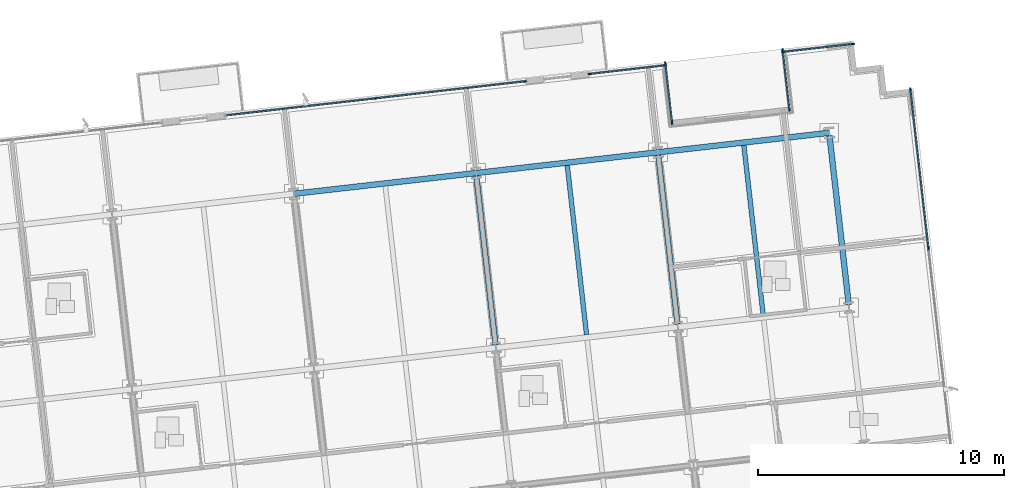
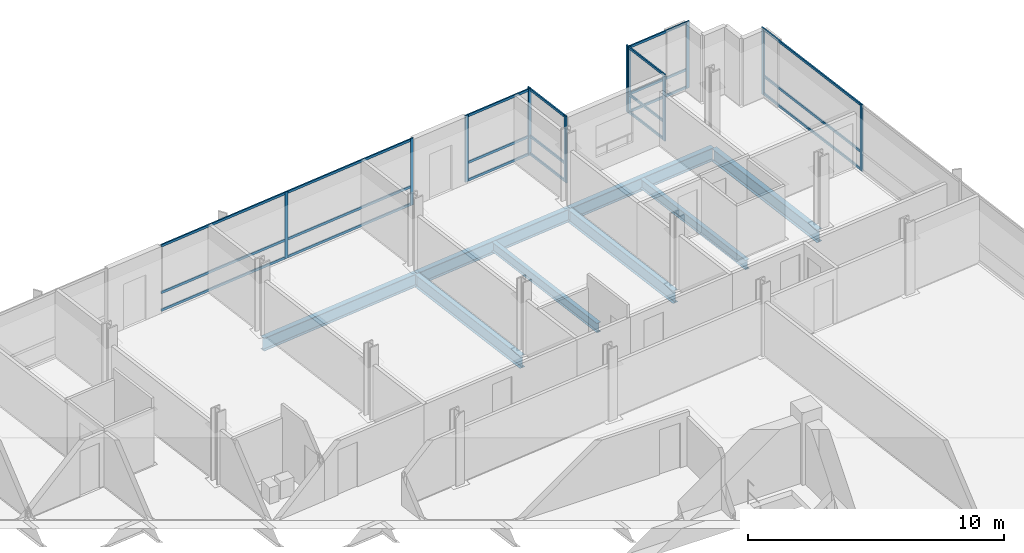
# One storey, part 7 of 16: 33 members, 8 beams, 6 elements without a shape of their own.
"""IFC4 building model written with IfcOpenShell, lengths in metres."""

from ifc_helpers import new_model, si_unit, direction, frame, origin, origin_2d, place, context, subcontext, project, spatial, rectangle, i_section, extrude, material, material_profile, profile_set, type_object, element, aggregate, save


model = new_model("IFC4")

# Units and contexts
model_context = context("Model", 3, precision=1e-05, world=origin(), true_north=direction((0.0, 1.0)))
body_context = subcontext(model_context, "Body", "Model", "MODEL_VIEW")
ifc_project = project(units=[si_unit("LENGTHUNIT", "METRE"), si_unit("AREAUNIT", "SQUARE_METRE"), si_unit("VOLUMEUNIT", "CUBIC_METRE"), si_unit("PLANEANGLEUNIT", "RADIAN"), si_unit("MASSUNIT", "GRAM", prefix="KILO")], contexts=[model_context])

# Site, building, storey
site_placement = place(None, origin())
site = spatial("IfcSite", under=ifc_project, at=site_placement, CompositionType="ELEMENT")
building_placement = place(site_placement, origin())
building = spatial("IfcBuilding", under=site, at=building_placement, Name="Solmavex Isthmus Hotel", CompositionType="ELEMENT")
storey_placement = place(building_placement, frame((0.0, 0.0, 222.75)))
storey = spatial("IfcBuildingStorey", under=building, at=storey_placement, Name="L60", CompositionType="ELEMENT", Elevation=222.75)

# Beams
ifc_material_1 = material(Name="Steel ASTM A992 Grade 50", Category="steel")
ifc_material_profile_1 = material_profile(ifc_material_1, i_section(OverallWidth=0.1904296875, OverallDepth=0.456787109375, WebThickness=0.009033203125, FlangeThickness=0.014404296875, FilletRadius=0.0126953125, at=origin_2d()), Name="W18X50")
ifc_profile_set_1 = profile_set([ifc_material_profile_1], Name="Steel ASTM A992 Grade 50")
beam_type_1 = type_object("IfcBeamType", Name="BM-BJ-W18X50", PredefinedType="JOIST", material=ifc_profile_set_1)
for number, where, z_axis, x_axis, name in (
    (1, (14.4072265625, 10.975830078125, -0.488525390625), (-0.113202453846, 0.993571942258, 0.0), (-0.993571942258, -0.113202453846, 0.0), "Secondary Floor Joist L60-J18"),
    (2, (21.587646484375, 11.7939453125, -0.488525390625), (-0.113202453846, 0.993571942258, 0.0), (-0.993571942258, -0.113202453846, 0.0), "Secondary Floor Joist L60-J21"),
):
    element("IfcBeam", number, at=place(storey_placement, frame(where, z_axis=z_axis, x_axis=x_axis)), inside=storey, type_object=beam_type_1, Name=name, PredefinedType="JOIST", context=body_context, shape_type="SweptSolid", body=[
        extrude(i_section(OverallWidth=0.1904296875, OverallDepth=0.456787109375, WebThickness=0.009033203125, FlangeThickness=0.014404296875, FilletRadius=0.0126953125, at=origin_2d()), origin(), (0.0, 0.0, 1.0), 6.9228515625),
    ])
ifc_material_profile_2 = material_profile(ifc_material_1, i_section(OverallWidth=0.227783203125, OverallDepth=0.602783203125, WebThickness=0.010498046875, FlangeThickness=0.014892578125, FilletRadius=0.01513671875, at=origin_2d()), Name="W24X68")
ifc_profile_set_2 = profile_set([ifc_material_profile_2], Name="Steel ASTM A992 Grade 50")
beam_type_2 = type_object("IfcBeamType", Name="BM-BM-W24X68", PredefinedType="BEAM", material=ifc_profile_set_2)
for number, where, z_axis, x_axis, name in (
    (3, (10.708251953125, 10.55419921875, -0.561279296875), (-0.113202453846, 0.993571942258, 0.0), (-0.993571942258, -0.113202453846, 0.0), "Floor Beam L60-VG39"),
    (4, (18.106201171875, 11.397216796875, -0.561279296875), (-0.113202453846, 0.993571942258, 0.0), (-0.993571942258, -0.113202453846, 0.0), "Floor Beam L60-VG42"),
):
    element("IfcBeam", number, at=place(storey_placement, frame(where, z_axis=z_axis, x_axis=x_axis)), inside=storey, type_object=beam_type_2, Name=name, PredefinedType="BEAM", context=body_context, shape_type="SweptSolid", body=[
        extrude(i_section(OverallWidth=0.227783203125, OverallDepth=0.602783203125, WebThickness=0.010498046875, FlangeThickness=0.014892578125, FilletRadius=0.01513671875, at=origin_2d()), origin(), (0.0, 0.0, 1.0), 6.9228515625),
    ])
ifc_material_profile_3 = material_profile(ifc_material_1, i_section(OverallWidth=0.230224609375, OverallDepth=0.617431640625, WebThickness=0.01318359375, FlangeThickness=0.022216796875, FilletRadius=0.01513671875, at=origin_2d()), Name="W24X94")
ifc_profile_set_3 = profile_set([ifc_material_profile_3], Name="Steel ASTM A992 Grade 50")
beam_type_3 = type_object("IfcBeamType", Name="BM-SP-W24X94", PredefinedType="SPANDREL", material=ifc_profile_set_3)
for number, where, z_axis, x_axis, name in (
    (5, (2.51318359375, 16.7041015625, -0.56884765625), (0.9935703463, 0.113216460607, 0.0), (-0.113216460607, 0.9935703463, 0.0), "Floor Girder L60-UG21"),
    (6, (9.911376953125, 17.547119140625, -0.56884765625), (0.9935703463, 0.113216460607, 0.0), (-0.113216460607, 0.9935703463, 0.0), "Floor Girder L60-UG22"),
):
    element("IfcBeam", number, at=place(storey_placement, frame(where, z_axis=z_axis, x_axis=x_axis)), inside=storey, type_object=beam_type_3, Name=name, PredefinedType="SPANDREL", context=body_context, shape_type="SweptSolid", body=[
        extrude(i_section(OverallWidth=0.230224609375, OverallDepth=0.617431640625, WebThickness=0.01318359375, FlangeThickness=0.022216796875, FilletRadius=0.01513671875, at=origin_2d()), origin(), (0.0, 0.0, 1.0), 7.446044921875),
    ])
beam_1_placement = place(storey_placement, frame((17.3095703125, 18.39013671875, -0.56884765625), z_axis=(0.99357359356, 0.113187959519, 0.0), x_axis=(-0.113187959519, 0.99357359356, 0.0)))
element("IfcBeam", 7, at=beam_1_placement, inside=storey, type_object=beam_type_3, Name="Floor Girder L60-UG23", PredefinedType="SPANDREL", context=body_context, shape_type="SweptSolid", body=[
    extrude(i_section(OverallWidth=0.230224609375, OverallDepth=0.617431640625, WebThickness=0.01318359375, FlangeThickness=0.022216796875, FilletRadius=0.01513671875, at=origin_2d()), origin(), (0.0, 0.0, 1.0), 7.0078125),
])
beam_2_placement = place(storey_placement, frame((25.0693359375, 12.1904296875, -0.56884765625), z_axis=(-0.113202453846, 0.993571942258, 0.0), x_axis=(-0.993571942258, -0.113202453846, 0.0)))
element("IfcBeam", 8, at=beam_2_placement, inside=storey, type_object=beam_type_3, Name="Floor Beam L60-VG45", PredefinedType="SPANDREL", context=body_context, shape_type="SweptSolid", body=[
    extrude(i_section(OverallWidth=0.230224609375, OverallDepth=0.617431640625, WebThickness=0.01318359375, FlangeThickness=0.022216796875, FilletRadius=0.01513671875, at=origin_2d()), origin(), (0.0, 0.0, 1.0), 6.9228515625),
])

# Curtain wall, members
ifc_material_2 = material(Name="Aluminium alloy 6063-T6", Category="aluminium")
curtain_wall_type = type_object("IfcCurtainWallType", Name="CW-SYS-06", PredefinedType="NOTDEFINED", material=ifc_material_2)
curtain_wall_1_placement = place(storey_placement, origin())
curtain_wall_1 = element("IfcCurtainWall", 9, at=curtain_wall_1_placement, inside=storey, type_object=curtain_wall_type, Name="Stick Curtain Wall CWL-L60-SGW", PredefinedType="NOTDEFINED")
ifc_material_profile_4 = material_profile(ifc_material_2, rectangle(XDim=0.06005859375, YDim=0.139892578125, at=origin_2d()), Name="CWM-60X140")
ifc_profile_set_4 = profile_set([ifc_material_profile_4], Name="Aluminium alloy 6063-T6")
member_type_1 = type_object("IfcMemberType", Name="CW-SYS-06-MUL", PredefinedType="MULLION", material=ifc_profile_set_4)
member_1_placement = place(storey_placement, frame((17.885009765625, 19.593017578125, 0.0), z_axis=(0.0, 0.0, 1.0), x_axis=(-0.993572045023, -0.113201551883, 0.0)))
member_1 = element("IfcMember", 10, at=member_1_placement, type_object=member_type_1, Name="CW-06 mullion 1", PredefinedType="MULLION", context=body_context, shape_type="SweptSolid", body=[
    extrude(rectangle(XDim=0.06005859375, YDim=0.139892578125, at=origin_2d()), origin(), (0.0, 0.0, 1.0), 3.18994140625),
])
member_2_placement = place(storey_placement, frame((17.611083984375, 21.997314453125, 0.0), z_axis=(0.0, 0.0, 1.0), x_axis=(-0.993572045023, -0.113201551883, 0.0)))
member_2 = element("IfcMember", 11, at=member_2_placement, type_object=member_type_1, Name="CW-06 mullion 2", PredefinedType="MULLION", context=body_context, shape_type="SweptSolid", body=[
    extrude(rectangle(XDim=0.06005859375, YDim=0.139892578125, at=origin_2d()), origin(), (0.0, 0.0, 1.0), 3.18994140625),
])

curtain_wall_2_placement = place(storey_placement, origin())
curtain_wall_2 = element("IfcCurtainWall", 12, at=curtain_wall_2_placement, inside=storey, type_object=curtain_wall_type, Name="Stick Curtain Wall CWL-L60-SGE", PredefinedType="NOTDEFINED")
member_3_placement = place(storey_placement, frame((22.654296875, 20.13623046875, 0.0), z_axis=(0.0, 0.0, 1.0), x_axis=(-0.993572045023, -0.113201551883, 0.0)))
member_3 = element("IfcMember", 13, at=member_3_placement, type_object=member_type_1, Name="CW-06 mullion 1", PredefinedType="MULLION", context=body_context, shape_type="SweptSolid", body=[
    extrude(rectangle(XDim=0.06005859375, YDim=0.139892578125, at=origin_2d()), origin(), (0.0, 0.0, 1.0), 3.18994140625),
])
member_4_placement = place(storey_placement, frame((22.38037109375, 22.540771484375, 0.0), z_axis=(0.0, 0.0, 1.0), x_axis=(-0.993572045023, -0.113201551883, 0.0)))
member_4 = element("IfcMember", 14, at=member_4_placement, type_object=member_type_1, Name="CW-06 mullion 2", PredefinedType="MULLION", context=body_context, shape_type="SweptSolid", body=[
    extrude(rectangle(XDim=0.06005859375, YDim=0.139892578125, at=origin_2d()), origin(), (0.0, 0.0, 1.0), 3.18994140625),
])

curtain_wall_3_placement = place(storey_placement, origin())
curtain_wall_3 = element("IfcCurtainWall", 15, at=curtain_wall_3_placement, inside=storey, type_object=curtain_wall_type, Name="Stick Curtain Wall CWL-L60-N2", PredefinedType="NOTDEFINED")
member_5_placement = place(storey_placement, frame((5.818359375, 20.583251953125, 0.0), z_axis=(0.0, 0.0, 1.0), x_axis=(-0.113202856801, 0.993571896348, 0.0)))
member_5 = element("IfcMember", 16, at=member_5_placement, type_object=member_type_1, Name="CW-06 mullion 2", PredefinedType="MULLION", context=body_context, shape_type="SweptSolid", body=[
    extrude(rectangle(XDim=0.06005859375, YDim=0.139892578125, at=origin_2d()), origin(), (0.0, 0.0, 1.0), 3.18994140625),
])
member_6_placement = place(storey_placement, frame((11.89501953125, 21.275634765625, 0.0), z_axis=(0.0, 0.0, 1.0), x_axis=(-0.113202856801, 0.993571896348, 0.0)))
member_6 = element("IfcMember", 17, at=member_6_placement, type_object=member_type_1, Name="CW-06 mullion 3", PredefinedType="MULLION", context=body_context, shape_type="SweptSolid", body=[
    extrude(rectangle(XDim=0.06005859375, YDim=0.139892578125, at=origin_2d()), origin(), (0.0, 0.0, 1.0), 3.18994140625),
])

curtain_wall_4_placement = place(storey_placement, origin())
curtain_wall_4 = element("IfcCurtainWall", 18, at=curtain_wall_4_placement, inside=storey, type_object=curtain_wall_type, Name="Stick Curtain Wall CWL-L60-N3", PredefinedType="NOTDEFINED")
member_7_placement = place(storey_placement, frame((14.5380859375, 21.57666015625, 0.0), z_axis=(0.0, 0.0, 1.0), x_axis=(-0.113203212138, 0.993571855862, 0.0)))
member_7 = element("IfcMember", 19, at=member_7_placement, type_object=member_type_1, Name="CW-06 mullion 1", PredefinedType="MULLION", context=body_context, shape_type="SweptSolid", body=[
    extrude(rectangle(XDim=0.06005859375, YDim=0.139892578125, at=origin_2d()), origin(), (0.0, 0.0, 1.0), 3.18994140625),
])
member_8_placement = place(storey_placement, frame((17.58935546875, 21.92431640625, 0.0), z_axis=(0.0, 0.0, 1.0), x_axis=(-0.113203212138, 0.993571855862, 0.0)))
member_8 = element("IfcMember", 20, at=member_8_placement, type_object=member_type_1, Name="CW-06 mullion 2", PredefinedType="MULLION", context=body_context, shape_type="SweptSolid", body=[
    extrude(rectangle(XDim=0.06005859375, YDim=0.139892578125, at=origin_2d()), origin(), (0.0, 0.0, 1.0), 3.18994140625),
])

curtain_wall_5_placement = place(storey_placement, origin())
curtain_wall_5 = element("IfcCurtainWall", 21, at=curtain_wall_5_placement, inside=storey, type_object=curtain_wall_type, Name="Stick Curtain Wall CWL-L60-N4", PredefinedType="NOTDEFINED")
member_9_placement = place(storey_placement, frame((22.41796875, 22.474609375, 0.0), z_axis=(0.0, 0.0, 1.0), x_axis=(-0.113203382497, 0.993571836452, 0.0)))
member_9 = element("IfcMember", 22, at=member_9_placement, type_object=member_type_1, Name="CW-06 mullion 1", PredefinedType="MULLION", context=body_context, shape_type="SweptSolid", body=[
    extrude(rectangle(XDim=0.06005859375, YDim=0.139892578125, at=origin_2d()), origin(), (0.0, 0.0, 1.0), 3.18994140625),
])
member_10_placement = place(storey_placement, frame((25.23974609375, 22.796142578125, 0.0), z_axis=(0.0, 0.0, 1.0), x_axis=(-0.113203382497, 0.993571836452, 0.0)))
member_10 = element("IfcMember", 23, at=member_10_placement, type_object=member_type_1, Name="CW-06 mullion 2", PredefinedType="MULLION", context=body_context, shape_type="SweptSolid", body=[
    extrude(rectangle(XDim=0.06005859375, YDim=0.139892578125, at=origin_2d()), origin(), (0.0, 0.0, 1.0), 3.18994140625),
])

curtain_wall_6_placement = place(storey_placement, origin())
curtain_wall_6 = element("IfcCurtainWall", 24, at=curtain_wall_6_placement, inside=storey, type_object=curtain_wall_type, Name="Stick Curtain Wall CWL-L60-E1", PredefinedType="NOTDEFINED")
member_11_placement = place(storey_placement, frame((28.309814453125, 14.490234375, 0.0), z_axis=(0.0, 0.0, 1.0), x_axis=(-0.993571836648, -0.11320338078, 0.0)))
member_11 = element("IfcMember", 25, at=member_11_placement, type_object=member_type_1, Name="CW-06 mullion 5", PredefinedType="MULLION", context=body_context, shape_type="SweptSolid", body=[
    extrude(rectangle(XDim=0.06005859375, YDim=0.139892578125, at=origin_2d()), origin(), (0.0, 0.0, 1.0), 3.18994140625),
])
member_12_placement = place(storey_placement, frame((27.574951171875, 20.9384765625, 0.0), z_axis=(0.0, 0.0, 1.0), x_axis=(-0.993571836648, -0.11320338078, 0.0)))
member_12 = element("IfcMember", 26, at=member_12_placement, type_object=member_type_1, Name="CW-06 mullion 6", PredefinedType="MULLION", context=body_context, shape_type="SweptSolid", body=[
    extrude(rectangle(XDim=0.06005859375, YDim=0.139892578125, at=origin_2d()), origin(), (0.0, 0.0, 1.0), 3.18994140625),
])

# Member
ifc_material_profile_5 = material_profile(ifc_material_2, rectangle(XDim=0.06005859375, YDim=0.114990234375, at=origin_2d()), Name="CWT-60X115")
ifc_profile_set_5 = profile_set([ifc_material_profile_5], Name="Aluminium alloy 6063-T6")
member_type_2 = type_object("IfcMemberType", Name="CW-SYS-06-TRN", PredefinedType="USERDEFINED", material=ifc_profile_set_5)
member_13_placement = place(storey_placement, frame((17.881591796875, 19.622802734375, 0.0576171875), z_axis=(-0.113178949831, 0.993574619903, 0.0), x_axis=(-0.993574619903, -0.113178949831, 0.0)))
member_13 = element("IfcMember", 27, at=member_13_placement, type_object=member_type_2, Name="CW-06 transom 1.1", ObjectType="TRANSOM", PredefinedType="USERDEFINED", context=body_context, shape_type="SweptSolid", body=[
    extrude(rectangle(XDim=0.06005859375, YDim=0.114990234375, at=origin_2d()), origin(), (0.0, 0.0, 1.0), 2.35986328125),
])

member_14_placement = place(storey_placement, frame((17.881591796875, 19.622802734375, 0.89990234375), z_axis=(-0.113178949831, 0.993574619903, 0.0), x_axis=(-0.993574619903, -0.113178949831, 0.0)))
member_14 = element("IfcMember", 28, at=member_14_placement, type_object=member_type_2, Name="CW-06 transom 1.2", ObjectType="TRANSOM", PredefinedType="USERDEFINED", context=body_context, shape_type="SweptSolid", body=[
    extrude(rectangle(XDim=0.06005859375, YDim=0.114990234375, at=origin_2d()), origin(), (0.0, 0.0, 1.0), 2.35986328125),
])

member_15_placement = place(storey_placement, frame((17.881591796875, 19.622802734375, 3.132568359375), z_axis=(-0.113178949831, 0.993574619903, 0.0), x_axis=(-0.993574619903, -0.113178949831, 0.0)))
member_15 = element("IfcMember", 29, at=member_15_placement, type_object=member_type_2, Name="CW-06 transom 1.3", ObjectType="TRANSOM", PredefinedType="USERDEFINED", context=body_context, shape_type="SweptSolid", body=[
    extrude(rectangle(XDim=0.06005859375, YDim=0.114990234375, at=origin_2d()), origin(), (0.0, 0.0, 1.0), 2.35986328125),
])

aggregate(curtain_wall_1, [member_1, member_2, member_13, member_14, member_15])

member_16_placement = place(storey_placement, frame((22.65087890625, 20.166015625, 0.0576171875), z_axis=(-0.113269434447, 0.993564308548, 0.0), x_axis=(-0.993564308548, -0.113269434447, 0.0)))
member_16 = element("IfcMember", 30, at=member_16_placement, type_object=member_type_2, Name="CW-06 transom 1.1", ObjectType="TRANSOM", PredefinedType="USERDEFINED", context=body_context, shape_type="SweptSolid", body=[
    extrude(rectangle(XDim=0.06005859375, YDim=0.114990234375, at=origin_2d()), origin(), (0.0, 0.0, 1.0), 2.360107421875),
])

member_17_placement = place(storey_placement, frame((22.65087890625, 20.166015625, 0.89990234375), z_axis=(-0.113269434447, 0.993564308548, 0.0), x_axis=(-0.993564308548, -0.113269434447, 0.0)))
member_17 = element("IfcMember", 31, at=member_17_placement, type_object=member_type_2, Name="CW-06 transom 1.2", ObjectType="TRANSOM", PredefinedType="USERDEFINED", context=body_context, shape_type="SweptSolid", body=[
    extrude(rectangle(XDim=0.06005859375, YDim=0.114990234375, at=origin_2d()), origin(), (0.0, 0.0, 1.0), 2.360107421875),
])

member_18_placement = place(storey_placement, frame((22.65087890625, 20.166015625, 3.132568359375), z_axis=(-0.113269434447, 0.993564308548, 0.0), x_axis=(-0.993564308548, -0.113269434447, 0.0)))
member_18 = element("IfcMember", 32, at=member_18_placement, type_object=member_type_2, Name="CW-06 transom 1.3", ObjectType="TRANSOM", PredefinedType="USERDEFINED", context=body_context, shape_type="SweptSolid", body=[
    extrude(rectangle(XDim=0.06005859375, YDim=0.114990234375, at=origin_2d()), origin(), (0.0, 0.0, 1.0), 2.360107421875),
])

aggregate(curtain_wall_2, [member_3, member_4, member_16, member_17, member_18])

member_19_placement = place(storey_placement, frame((-0.228515625, 19.894287109375, 0.0576171875), z_axis=(0.99357211414, 0.113200945245, 0.0), x_axis=(-0.113200945245, 0.99357211414, 0.0)))
member_19 = element("IfcMember", 33, at=member_19_placement, type_object=member_type_2, Name="CW-06 transom 1.1", ObjectType="TRANSOM", PredefinedType="USERDEFINED", context=body_context, shape_type="SweptSolid", body=[
    extrude(rectangle(XDim=0.06005859375, YDim=0.114990234375, at=origin_2d()), origin(), (0.0, 0.0, 1.0), 6.055908203125),
])

member_20_placement = place(storey_placement, frame((-0.228515625, 19.894287109375, 0.89990234375), z_axis=(0.99357211414, 0.113200945245, 0.0), x_axis=(-0.113200945245, 0.99357211414, 0.0)))
member_20 = element("IfcMember", 34, at=member_20_placement, type_object=member_type_2, Name="CW-06 transom 1.2", ObjectType="TRANSOM", PredefinedType="USERDEFINED", context=body_context, shape_type="SweptSolid", body=[
    extrude(rectangle(XDim=0.06005859375, YDim=0.114990234375, at=origin_2d()), origin(), (0.0, 0.0, 1.0), 6.055908203125),
])

member_21_placement = place(storey_placement, frame((-0.228515625, 19.894287109375, 3.132568359375), z_axis=(0.99357211414, 0.113200945245, 0.0), x_axis=(-0.113200945245, 0.99357211414, 0.0)))
member_21 = element("IfcMember", 35, at=member_21_placement, type_object=member_type_2, Name="CW-06 transom 1.3", ObjectType="TRANSOM", PredefinedType="USERDEFINED", context=body_context, shape_type="SweptSolid", body=[
    extrude(rectangle(XDim=0.06005859375, YDim=0.114990234375, at=origin_2d()), origin(), (0.0, 0.0, 1.0), 6.055908203125),
])

member_22_placement = place(storey_placement, frame((5.84814453125, 20.586669921875, 0.0576171875), z_axis=(0.99357211414, 0.113200945245, 0.0), x_axis=(-0.113200945245, 0.99357211414, 0.0)))
member_22 = element("IfcMember", 36, at=member_22_placement, type_object=member_type_2, Name="CW-06 transom 2.1", ObjectType="TRANSOM", PredefinedType="USERDEFINED", context=body_context, shape_type="SweptSolid", body=[
    extrude(rectangle(XDim=0.06005859375, YDim=0.114990234375, at=origin_2d()), origin(), (0.0, 0.0, 1.0), 6.055908203125),
])

member_23_placement = place(storey_placement, frame((5.84814453125, 20.586669921875, 0.89990234375), z_axis=(0.99357211414, 0.113200945245, 0.0), x_axis=(-0.113200945245, 0.99357211414, 0.0)))
member_23 = element("IfcMember", 37, at=member_23_placement, type_object=member_type_2, Name="CW-06 transom 2.2", ObjectType="TRANSOM", PredefinedType="USERDEFINED", context=body_context, shape_type="SweptSolid", body=[
    extrude(rectangle(XDim=0.06005859375, YDim=0.114990234375, at=origin_2d()), origin(), (0.0, 0.0, 1.0), 6.055908203125),
])

member_24_placement = place(storey_placement, frame((5.84814453125, 20.586669921875, 3.132568359375), z_axis=(0.99357211414, 0.113200945245, 0.0), x_axis=(-0.113200945245, 0.99357211414, 0.0)))
member_24 = element("IfcMember", 38, at=member_24_placement, type_object=member_type_2, Name="CW-06 transom 2.3", ObjectType="TRANSOM", PredefinedType="USERDEFINED", context=body_context, shape_type="SweptSolid", body=[
    extrude(rectangle(XDim=0.06005859375, YDim=0.114990234375, at=origin_2d()), origin(), (0.0, 0.0, 1.0), 6.055908203125),
])

aggregate(curtain_wall_3, [member_5, member_6, member_19, member_20, member_21, member_22, member_23, member_24])

member_25_placement = place(storey_placement, frame((14.56787109375, 21.580078125, 0.0576171875), z_axis=(0.993563215899, 0.113279018413, 0.0), x_axis=(-0.113279018413, 0.993563215899, 0.0)))
member_25 = element("IfcMember", 39, at=member_25_placement, type_object=member_type_2, Name="CW-06 transom 1.1", ObjectType="TRANSOM", PredefinedType="USERDEFINED", context=body_context, shape_type="SweptSolid", body=[
    extrude(rectangle(XDim=0.06005859375, YDim=0.114990234375, at=origin_2d()), origin(), (0.0, 0.0, 1.0), 3.0107421875),
])

member_26_placement = place(storey_placement, frame((14.56787109375, 21.580078125, 0.89990234375), z_axis=(0.993563215899, 0.113279018413, 0.0), x_axis=(-0.113279018413, 0.993563215899, 0.0)))
member_26 = element("IfcMember", 40, at=member_26_placement, type_object=member_type_2, Name="CW-06 transom 1.2", ObjectType="TRANSOM", PredefinedType="USERDEFINED", context=body_context, shape_type="SweptSolid", body=[
    extrude(rectangle(XDim=0.06005859375, YDim=0.114990234375, at=origin_2d()), origin(), (0.0, 0.0, 1.0), 3.0107421875),
])

member_27_placement = place(storey_placement, frame((14.56787109375, 21.580078125, 3.132568359375), z_axis=(0.993563215899, 0.113279018413, 0.0), x_axis=(-0.113279018413, 0.993563215899, 0.0)))
member_27 = element("IfcMember", 41, at=member_27_placement, type_object=member_type_2, Name="CW-06 transom 1.3", ObjectType="TRANSOM", PredefinedType="USERDEFINED", context=body_context, shape_type="SweptSolid", body=[
    extrude(rectangle(XDim=0.06005859375, YDim=0.114990234375, at=origin_2d()), origin(), (0.0, 0.0, 1.0), 3.0107421875),
])

aggregate(curtain_wall_4, [member_7, member_8, member_25, member_26, member_27])

member_28_placement = place(storey_placement, frame((22.44775390625, 22.47802734375, 0.0576171875), z_axis=(0.993572522109, 0.113197364416, 0.0), x_axis=(-0.113197364416, 0.993572522109, 0.0)))
member_28 = element("IfcMember", 42, at=member_28_placement, type_object=member_type_2, Name="CW-06 transom 1.1", ObjectType="TRANSOM", PredefinedType="USERDEFINED", context=body_context, shape_type="SweptSolid", body=[
    extrude(rectangle(XDim=0.06005859375, YDim=0.114990234375, at=origin_2d()), origin(), (0.0, 0.0, 1.0), 2.780029296875),
])

member_29_placement = place(storey_placement, frame((22.44775390625, 22.47802734375, 0.89990234375), z_axis=(0.993572522109, 0.113197364416, 0.0), x_axis=(-0.113197364416, 0.993572522109, 0.0)))
member_29 = element("IfcMember", 43, at=member_29_placement, type_object=member_type_2, Name="CW-06 transom 1.2", ObjectType="TRANSOM", PredefinedType="USERDEFINED", context=body_context, shape_type="SweptSolid", body=[
    extrude(rectangle(XDim=0.06005859375, YDim=0.114990234375, at=origin_2d()), origin(), (0.0, 0.0, 1.0), 2.780029296875),
])

member_30_placement = place(storey_placement, frame((22.44775390625, 22.47802734375, 3.132568359375), z_axis=(0.993572522109, 0.113197364416, 0.0), x_axis=(-0.113197364416, 0.993572522109, 0.0)))
member_30 = element("IfcMember", 44, at=member_30_placement, type_object=member_type_2, Name="CW-06 transom 1.3", ObjectType="TRANSOM", PredefinedType="USERDEFINED", context=body_context, shape_type="SweptSolid", body=[
    extrude(rectangle(XDim=0.06005859375, YDim=0.114990234375, at=origin_2d()), origin(), (0.0, 0.0, 1.0), 2.780029296875),
])

aggregate(curtain_wall_5, [member_9, member_10, member_28, member_29, member_30])

member_31_placement = place(storey_placement, frame((28.306396484375, 14.52001953125, 0.0576171875), z_axis=(-0.113223191888, 0.993569579254, 0.0), x_axis=(-0.993569579254, -0.113223191888, 0.0)))
member_31 = element("IfcMember", 45, at=member_31_placement, type_object=member_type_2, Name="CW-06 transom 5.1", ObjectType="TRANSOM", PredefinedType="USERDEFINED", context=body_context, shape_type="SweptSolid", body=[
    extrude(rectangle(XDim=0.06005859375, YDim=0.114990234375, at=origin_2d()), origin(), (0.0, 0.0, 1.0), 6.429931640625),
])

member_32_placement = place(storey_placement, frame((28.306396484375, 14.52001953125, 0.89990234375), z_axis=(-0.113223191888, 0.993569579254, 0.0), x_axis=(-0.993569579254, -0.113223191888, 0.0)))
member_32 = element("IfcMember", 46, at=member_32_placement, type_object=member_type_2, Name="CW-06 transom 5.2", ObjectType="TRANSOM", PredefinedType="USERDEFINED", context=body_context, shape_type="SweptSolid", body=[
    extrude(rectangle(XDim=0.06005859375, YDim=0.114990234375, at=origin_2d()), origin(), (0.0, 0.0, 1.0), 6.429931640625),
])

member_33_placement = place(storey_placement, frame((28.306396484375, 14.52001953125, 3.132568359375), z_axis=(-0.113223191888, 0.993569579254, 0.0), x_axis=(-0.993569579254, -0.113223191888, 0.0)))
member_33 = element("IfcMember", 47, at=member_33_placement, type_object=member_type_2, Name="CW-06 transom 5.3", ObjectType="TRANSOM", PredefinedType="USERDEFINED", context=body_context, shape_type="SweptSolid", body=[
    extrude(rectangle(XDim=0.06005859375, YDim=0.114990234375, at=origin_2d()), origin(), (0.0, 0.0, 1.0), 6.429931640625),
])

aggregate(curtain_wall_6, [member_11, member_12, member_31, member_32, member_33])

save(model, "model.ifc")
